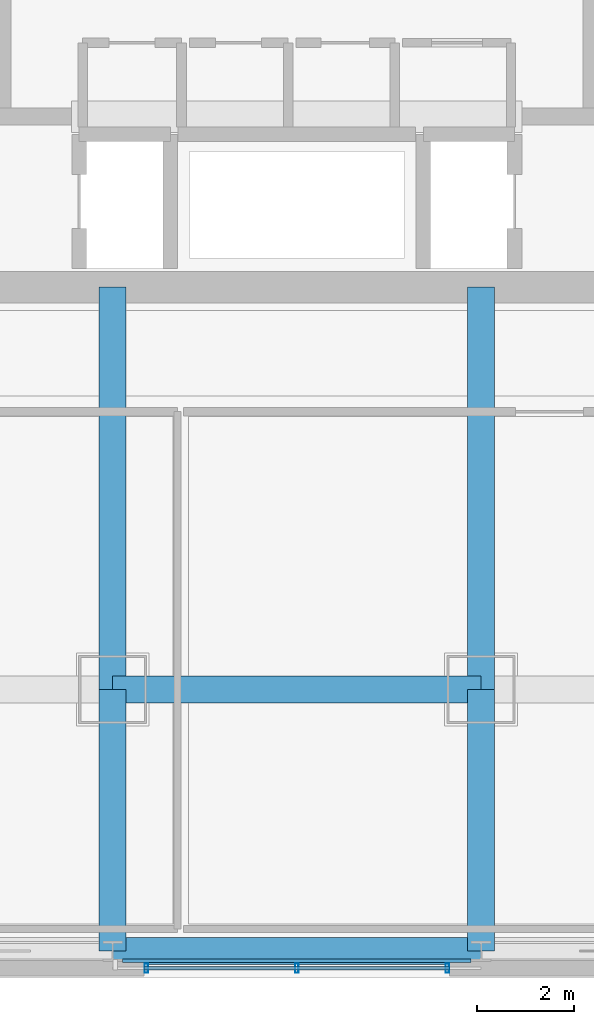
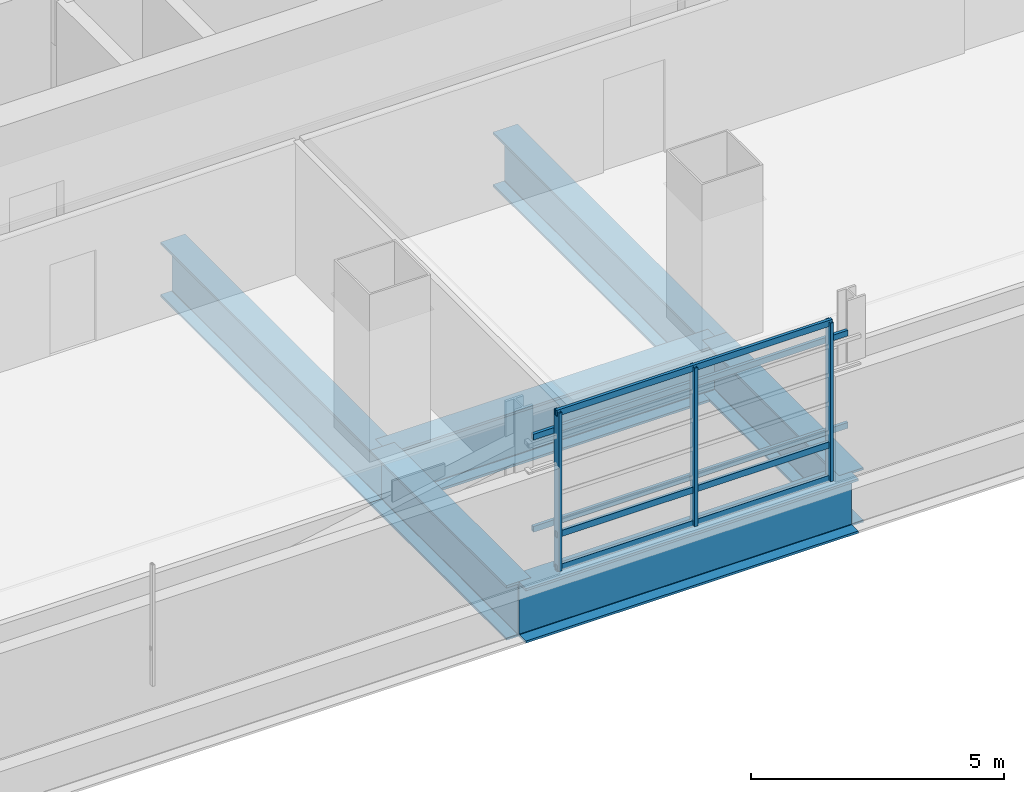
# One storey, part 2 of 29: 8 members, 6 beams, 1 element without a shape of its own.
"""IFC4 building model written with IfcOpenShell, lengths in metres."""

from ifc_helpers import new_model, si_unit, direction, frame, origin, origin_2d, place, context, subcontext, project, spatial, hollow_rectangle, i_section, extrude, material, material_profile, profile_set, type_object, element, aggregate, save


model = new_model("IFC4")

# Units and contexts
model_context = context("Model", 3, precision=1e-05, world=origin(), true_north=direction((0.0, 1.0)))
body_context = subcontext(model_context, "Body", "Model", "MODEL_VIEW")
ifc_project = project(units=[si_unit("LENGTHUNIT", "METRE"), si_unit("AREAUNIT", "SQUARE_METRE"), si_unit("VOLUMEUNIT", "CUBIC_METRE"), si_unit("PLANEANGLEUNIT", "RADIAN"), si_unit("MASSUNIT", "GRAM", prefix="KILO")], contexts=[model_context])

# Site, building, storey
site_placement = place(None, origin())
site = spatial("IfcSite", under=ifc_project, at=site_placement, CompositionType="ELEMENT")
building_placement = place(site_placement, origin())
building = spatial("IfcBuilding", under=site, at=building_placement, Name="Punatoya Terracotta Tower", CompositionType="ELEMENT")
storey_placement = place(building_placement, frame((0.0, 0.0, 172.199951171875)))
storey = spatial("IfcBuildingStorey", under=building, at=storey_placement, Name="L40", CompositionType="ELEMENT", Elevation=172.199951171875)

# Beams
ifc_material_1 = material(Name="Steel S460", Category="steel")
ifc_material_profile_1 = material_profile(ifc_material_1, i_section(OverallWidth=0.56005859375, OverallDepth=1.320068359375, WebThickness=0.035888671875, FlangeThickness=0.054931640625, FilletRadius=0.01806640625, at=origin_2d()))
ifc_profile_set_1 = profile_set([ifc_material_profile_1], Name="Steel S460")
beam_type = type_object("IfcBeamType", Name="BM-TG-BLK", PredefinedType="BEAM", material=ifc_profile_set_1)
beam_1_placement = place(storey_placement, frame((-3.800048828125, -17.5, -0.93994140625), z_axis=(1.0, 0.0, 0.0), x_axis=(0.0, 1.0, 0.0)))
element("IfcBeam", 1, at=beam_1_placement, inside=storey, type_object=beam_type, Name="BM-L40-RG-S2", PredefinedType="BEAM", context=body_context, shape_type="SweptSolid", body=[
    extrude(i_section(OverallWidth=0.56005859375, OverallDepth=1.320068359375, WebThickness=0.035888671875, FlangeThickness=0.054931640625, FilletRadius=0.01806640625, at=origin_2d()), origin(), (0.0, 0.0, 1.0), 7.60009765625),
])
for number, where, z_axis, x_axis, name in (
    (2, (-3.800048828125, -17.5, -0.93994140625), (0.0, 1.0, 0.0), (-1.0, 0.0, 0.0), "BM-L40-PR-S2"),
    (3, (3.800048828125, -17.5, -0.93994140625), (0.0, 1.0, 0.0), (-1.0, 0.0, 0.0), "BM-L40-PR-S3"),
):
    element("IfcBeam", number, at=place(storey_placement, frame(where, z_axis=z_axis, x_axis=x_axis)), inside=storey, type_object=beam_type, Name=name, PredefinedType="BEAM", context=body_context, shape_type="SweptSolid", body=[
        extrude(i_section(OverallWidth=0.56005859375, OverallDepth=1.320068359375, WebThickness=0.035888671875, FlangeThickness=0.054931640625, FilletRadius=0.01806640625, at=origin_2d()), origin(), (0.0, 0.0, 1.0), 8.300048828125),
    ])
for number, where, z_axis, x_axis, name in (
    (4, (-3.800048828125, -22.89990234375, -0.93994140625), (0.0, 1.0, 0.0), (-1.0, 0.0, 0.0), "BM-L40-CANT-S2"),
    (5, (3.800048828125, -22.89990234375, -0.93994140625), (0.0, 1.0, 0.0), (-1.0, 0.0, 0.0), "BM-L40-CANT-S3"),
):
    element("IfcBeam", number, at=place(storey_placement, frame(where, z_axis=z_axis, x_axis=x_axis)), inside=storey, type_object=beam_type, Name=name, PredefinedType="BEAM", context=body_context, shape_type="SweptSolid", body=[
        extrude(i_section(OverallWidth=0.56005859375, OverallDepth=1.320068359375, WebThickness=0.035888671875, FlangeThickness=0.054931640625, FilletRadius=0.01806640625, at=origin_2d()), origin(), (0.0, 0.0, 1.0), 5.39990234375),
    ])
beam_2_placement = place(storey_placement, frame((-3.800048828125, -22.89990234375, -0.93994140625), z_axis=(1.0, 0.0, 0.0), x_axis=(0.0, 1.0, 0.0)))
element("IfcBeam", 6, at=beam_2_placement, inside=storey, type_object=beam_type, Name="BM-L40-PER-S2", PredefinedType="BEAM", context=body_context, shape_type="SweptSolid", body=[
    extrude(i_section(OverallWidth=0.56005859375, OverallDepth=1.320068359375, WebThickness=0.035888671875, FlangeThickness=0.054931640625, FilletRadius=0.01806640625, at=origin_2d()), origin(), (0.0, 0.0, 1.0), 7.60009765625),
])

# Curtain wall, members
ifc_material_2 = material(Name="Aluminium 6063-T6 + Double Low-E Glass", Category="aluminium")
curtain_wall_type = type_object("IfcCurtainWallType", Name="CW-M2", PredefinedType="NOTDEFINED", material=ifc_material_2)
curtain_wall_placement = place(storey_placement, origin())
curtain_wall = element("IfcCurtainWall", 7, at=curtain_wall_placement, inside=storey, type_object=curtain_wall_type, Name="L40 Curtain Wall CW-L40-S01-1", PredefinedType="NOTDEFINED")
ifc_material_3 = material(Name="Aluminium 6063-T6", Category="aluminium")
ifc_material_profile_2 = material_profile(ifc_material_3, hollow_rectangle(XDim=0.072021484375, YDim=0.195068359375, WallThickness=0.00439453125, at=origin_2d()))
ifc_profile_set_2 = profile_set([ifc_material_profile_2], Name="Aluminium 6063-T6")
member_type_1 = type_object("IfcMemberType", Name="CW-MUL-M2", PredefinedType="MULLION", material=ifc_profile_set_2)
member_1_placement = place(storey_placement, frame((-3.10498046875, -23.25, 0.0), z_axis=(0.0, 0.0, 1.0), x_axis=(1.0, 0.0, 0.0)))
member_1 = element("IfcMember", 8, at=member_1_placement, type_object=member_type_1, Name="CW-L40-S01-1 Mullion 00", PredefinedType="MULLION", context=body_context, shape_type="SweptSolid", body=[
    extrude(hollow_rectangle(XDim=0.072021484375, YDim=0.195068359375, WallThickness=0.00439453125, at=origin_2d()), origin(), (0.0, 0.0, 1.0), 3.830078125),
])
member_2_placement = place(storey_placement, frame((0.0, -23.25, 0.0), z_axis=(0.0, 0.0, 1.0), x_axis=(1.0, 0.0, 0.0)))
member_2 = element("IfcMember", 9, at=member_2_placement, type_object=member_type_1, Name="CW-L40-S01-1 Mullion 01", PredefinedType="MULLION", context=body_context, shape_type="SweptSolid", body=[
    extrude(hollow_rectangle(XDim=0.072021484375, YDim=0.195068359375, WallThickness=0.00439453125, at=origin_2d()), origin(), (0.0, 0.0, 1.0), 3.830078125),
])
member_3_placement = place(storey_placement, frame((3.10498046875, -23.25, 0.0), z_axis=(0.0, 0.0, 1.0), x_axis=(1.0, 0.0, 0.0)))
member_3 = element("IfcMember", 10, at=member_3_placement, type_object=member_type_1, Name="CW-L40-S01-1 Mullion 02", PredefinedType="MULLION", context=body_context, shape_type="SweptSolid", body=[
    extrude(hollow_rectangle(XDim=0.072021484375, YDim=0.195068359375, WallThickness=0.00439453125, at=origin_2d()), origin(), (0.0, 0.0, 1.0), 3.830078125),
])
ifc_material_profile_3 = material_profile(ifc_material_3, hollow_rectangle(XDim=0.068115234375, YDim=0.14990234375, WallThickness=0.00390625, at=origin_2d()))
ifc_profile_set_3 = profile_set([ifc_material_profile_3], Name="Aluminium 6063-T6")
member_type_2 = type_object("IfcMemberType", Name="CW-TRN-TYP", PredefinedType="USERDEFINED", material=ifc_profile_set_3)
member_4_placement = place(storey_placement, frame((-3.14990234375, -23.25, 0.0400390625), z_axis=(1.0, 0.0, 0.0), x_axis=(0.0, 1.0, 0.0)))
member_4 = element("IfcMember", 11, at=member_4_placement, type_object=member_type_2, Name="CW-L40-S01-1 Transom 1", ObjectType="TRANSOM", PredefinedType="USERDEFINED", context=body_context, shape_type="SweptSolid", body=[
    extrude(hollow_rectangle(XDim=0.068115234375, YDim=0.14990234375, WallThickness=0.00390625, at=origin_2d()), origin(), (0.0, 0.0, 1.0), 6.2998046875),
])
member_5_placement = place(storey_placement, frame((-3.14990234375, -23.25, 0.85009765625), z_axis=(1.0, 0.0, 0.0), x_axis=(0.0, 1.0, 0.0)))
member_5 = element("IfcMember", 12, at=member_5_placement, type_object=member_type_2, Name="CW-L40-S01-1 Transom 2", ObjectType="TRANSOM", PredefinedType="USERDEFINED", context=body_context, shape_type="SweptSolid", body=[
    extrude(hollow_rectangle(XDim=0.068115234375, YDim=0.14990234375, WallThickness=0.00390625, at=origin_2d()), origin(), (0.0, 0.0, 1.0), 6.2998046875),
])
member_6_placement = place(storey_placement, frame((-3.14990234375, -23.25, 3.7900390625), z_axis=(1.0, 0.0, 0.0), x_axis=(0.0, 1.0, 0.0)))
member_6 = element("IfcMember", 13, at=member_6_placement, type_object=member_type_2, Name="CW-L40-S01-1 Transom 3", ObjectType="TRANSOM", PredefinedType="USERDEFINED", context=body_context, shape_type="SweptSolid", body=[
    extrude(hollow_rectangle(XDim=0.068115234375, YDim=0.14990234375, WallThickness=0.00390625, at=origin_2d()), origin(), (0.0, 0.0, 1.0), 6.2998046875),
])
aggregate(curtain_wall, [member_1, member_2, member_3, member_4, member_5, member_6])

# Members
ifc_material_4 = material(Name="Steel S355", Category="steel")
ifc_material_profile_4 = material_profile(ifc_material_4, hollow_rectangle(XDim=0.070068359375, YDim=0.139892578125, WallThickness=0.006103515625, at=origin_2d()))
ifc_profile_set_4 = profile_set([ifc_material_profile_4], Name="Steel S355")
member_type_3 = type_object("IfcMemberType", Name="MEM-BAG-RAIL", PredefinedType="USERDEFINED", material=ifc_profile_set_4)
for number, where, z_axis, x_axis, name in (
    (14, (-3.595947265625, -23.094482421875, 1.050048828125), (1.0, 0.0, 0.0), (0.0, 1.0, 0.0), "L40 Terracotta Baguette Carrier Rail BAG-L40-S-R1"),
    (15, (-3.595947265625, -23.094482421875, 3.280029296875), (1.0, 0.0, 0.0), (0.0, 1.0, 0.0), "L40 Terracotta Baguette Carrier Rail BAG-L40-S-R2"),
):
    element("IfcMember", number, at=place(storey_placement, frame(where, z_axis=z_axis, x_axis=x_axis)), inside=storey, type_object=member_type_3, Name=name, ObjectType="BAGUETTE", PredefinedType="USERDEFINED", context=body_context, shape_type="SweptSolid", body=[
        extrude(hollow_rectangle(XDim=0.070068359375, YDim=0.139892578125, WallThickness=0.006103515625, at=origin_2d()), origin(), (0.0, 0.0, 1.0), 7.19189453125),
    ])

save(model, "model.ifc")
